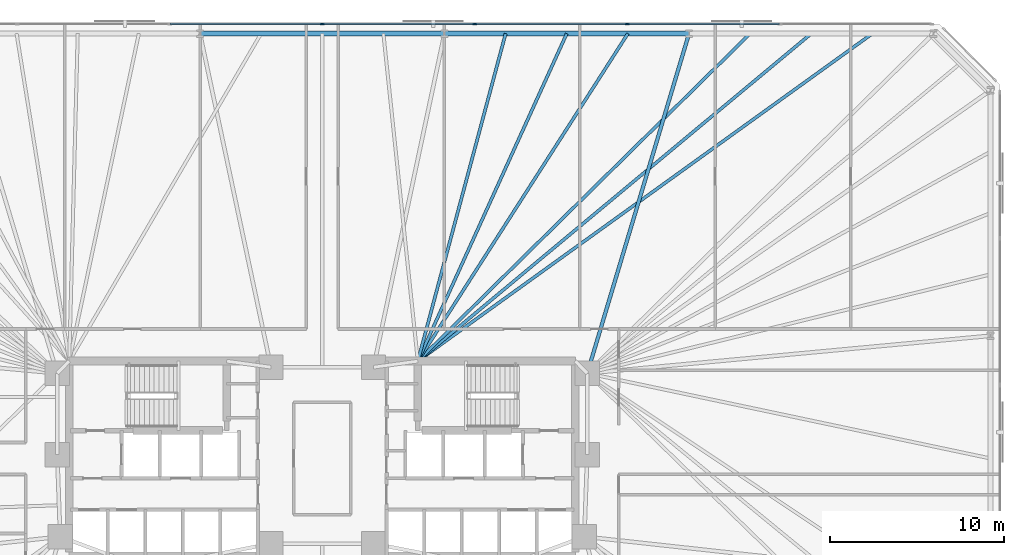
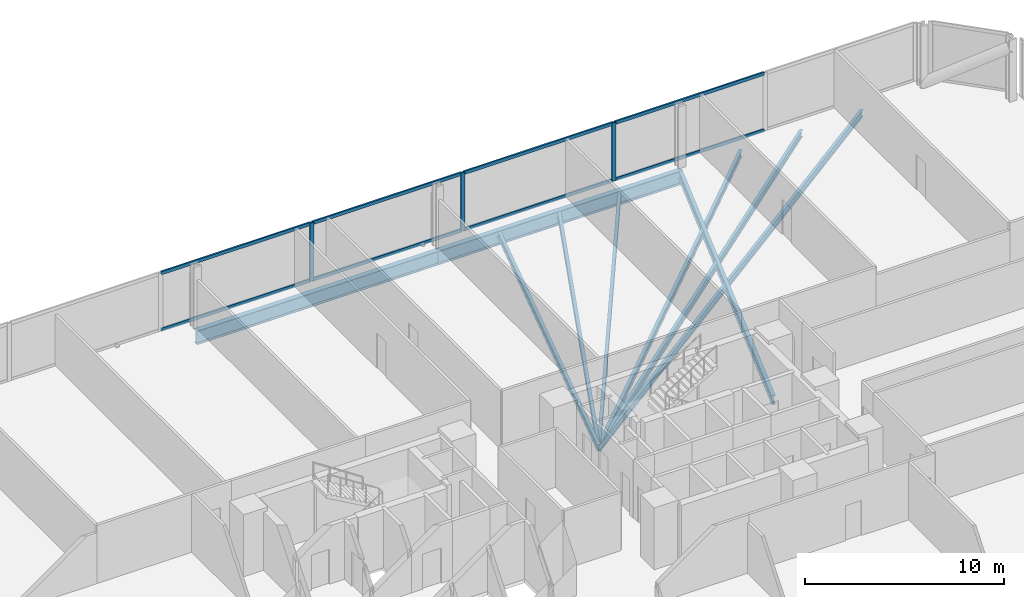
# One storey, part 9 of 17: 11 members, 9 beams, 1 element without a shape of its own.
"""IFC4 building model written with IfcOpenShell, lengths in metres."""

from ifc_helpers import new_model, si_unit, direction, frame, origin, origin_2d, place, context, subcontext, project, spatial, rectangle, i_section, extrude, material, material_profile, profile_set, type_object, element, aggregate, save


model = new_model("IFC4")

# Units and contexts
model_context = context("Model", 3, precision=1e-05, world=origin(), true_north=direction((0.0, 1.0)))
body_context = subcontext(model_context, "Body", "Model", "MODEL_VIEW")
ifc_project = project(units=[si_unit("LENGTHUNIT", "METRE"), si_unit("AREAUNIT", "SQUARE_METRE"), si_unit("VOLUMEUNIT", "CUBIC_METRE"), si_unit("PLANEANGLEUNIT", "RADIAN"), si_unit("MASSUNIT", "GRAM", prefix="KILO")], contexts=[model_context])

# Site, building, storey
site_placement = place(None, origin())
site = spatial("IfcSite", under=ifc_project, at=site_placement, CompositionType="ELEMENT")
building_placement = place(site_placement, origin())
building = spatial("IfcBuilding", under=site, at=building_placement, Name="Menara Jurai Vektor", CompositionType="ELEMENT")
storey_placement = place(building_placement, frame((0.0, 0.0, 63.60009765625)))
storey = spatial("IfcBuildingStorey", under=building, at=storey_placement, Name="L15", CompositionType="ELEMENT", Elevation=63.60009765625)

# Curtain wall, members
ifc_material_1 = material(Name="Anodised Pale Aluminium & Low-E Double Glazing", Category="aluminium")
curtain_wall_type = type_object("IfcCurtainWallType", Name="CW-BLK1", PredefinedType="NOTDEFINED", material=ifc_material_1)
curtain_wall_placement = place(storey_placement, origin())
curtain_wall = element("IfcCurtainWall", 1, at=curtain_wall_placement, inside=storey, type_object=curtain_wall_type, Name="Unitised Curtain Wall L15 F05", PredefinedType="NOTDEFINED")
ifc_material_2 = material(Name="Anodised Pale Aluminium Mullion", Category="aluminium")
ifc_material_profile_1 = material_profile(ifc_material_2, rectangle(XDim=0.094970703125, YDim=0.239990234375, at=origin_2d()), Name="ALU MUL 95x240")
ifc_profile_set_1 = profile_set([ifc_material_profile_1], Name="Anodised Pale Aluminium Mullion")
member_type_1 = type_object("IfcMemberType", Name="CW-BLK1-MUL", PredefinedType="MULLION", material=ifc_profile_set_1)
member_1_placement = place(storey_placement, frame((17.56005859375, 25.0, 0.0), z_axis=(0.0, 0.0, 1.0), x_axis=(0.0, -1.0, 0.0)))
member_1 = element("IfcMember", 2, at=member_1_placement, type_object=member_type_1, Name="CW-01 mullion 3", PredefinedType="MULLION", context=body_context, shape_type="SweptSolid", body=[
    extrude(rectangle(XDim=0.094970703125, YDim=0.239990234375, at=origin_2d()), origin(), (0.0, 0.0, 1.0), 3.574951171875),
])
member_2_placement = place(storey_placement, frame((8.780029296875, 25.0, 0.0), z_axis=(0.0, 0.0, 1.0), x_axis=(0.0, -1.0, 0.0)))
member_2 = element("IfcMember", 3, at=member_2_placement, type_object=member_type_1, Name="CW-01 mullion 4", PredefinedType="MULLION", context=body_context, shape_type="SweptSolid", body=[
    extrude(rectangle(XDim=0.094970703125, YDim=0.239990234375, at=origin_2d()), origin(), (0.0, 0.0, 1.0), 3.574951171875),
])
member_3_placement = place(storey_placement, frame((0.0, 25.0, 0.0), z_axis=(0.0, 0.0, 1.0), x_axis=(0.0, -1.0, 0.0)))
member_3 = element("IfcMember", 4, at=member_3_placement, type_object=member_type_1, Name="CW-01 mullion 5", PredefinedType="MULLION", context=body_context, shape_type="SweptSolid", body=[
    extrude(rectangle(XDim=0.094970703125, YDim=0.239990234375, at=origin_2d()), origin(), (0.0, 0.0, 1.0), 3.574951171875),
])
ifc_material_3 = material(Name="Anodised Pale Aluminium Transom", Category="aluminium")
ifc_material_profile_2 = material_profile(ifc_material_3, rectangle(XDim=0.094970703125, YDim=0.199951171875, at=origin_2d()), Name="ALU TRN 95x200")
ifc_profile_set_2 = profile_set([ifc_material_profile_2], Name="Anodised Pale Aluminium Transom")
member_type_2 = type_object("IfcMemberType", Name="CW-BLK1-TRN", PredefinedType="USERDEFINED", material=ifc_profile_set_2)
member_4_placement = place(storey_placement, frame((26.29248046875, 25.0, 0.04736328125), z_axis=(-1.0, 0.0, 0.0), x_axis=(0.0, -1.0, 0.0)))
member_4 = element("IfcMember", 5, at=member_4_placement, type_object=member_type_2, Name="CW-01 transom 2.1", ObjectType="TRANSOM", PredefinedType="USERDEFINED", context=body_context, shape_type="SweptSolid", body=[
    extrude(rectangle(XDim=0.094970703125, YDim=0.199951171875, at=origin_2d()), origin(), (0.0, 0.0, 1.0), 8.68505859375),
])
member_5_placement = place(storey_placement, frame((26.29248046875, 25.0, 3.52734375), z_axis=(-1.0, 0.0, 0.0), x_axis=(0.0, -1.0, 0.0)))
member_5 = element("IfcMember", 6, at=member_5_placement, type_object=member_type_2, Name="CW-01 transom 2.2", ObjectType="TRANSOM", PredefinedType="USERDEFINED", context=body_context, shape_type="SweptSolid", body=[
    extrude(rectangle(XDim=0.094970703125, YDim=0.199951171875, at=origin_2d()), origin(), (0.0, 0.0, 1.0), 8.68505859375),
])
member_6_placement = place(storey_placement, frame((17.512451171875, 25.0, 0.04736328125), z_axis=(-1.0, 0.0, 0.0), x_axis=(0.0, -1.0, 0.0)))
member_6 = element("IfcMember", 7, at=member_6_placement, type_object=member_type_2, Name="CW-01 transom 3.1", ObjectType="TRANSOM", PredefinedType="USERDEFINED", context=body_context, shape_type="SweptSolid", body=[
    extrude(rectangle(XDim=0.094970703125, YDim=0.199951171875, at=origin_2d()), origin(), (0.0, 0.0, 1.0), 8.68505859375),
])
member_7_placement = place(storey_placement, frame((17.512451171875, 25.0, 3.52734375), z_axis=(-1.0, 0.0, 0.0), x_axis=(0.0, -1.0, 0.0)))
member_7 = element("IfcMember", 8, at=member_7_placement, type_object=member_type_2, Name="CW-01 transom 3.2", ObjectType="TRANSOM", PredefinedType="USERDEFINED", context=body_context, shape_type="SweptSolid", body=[
    extrude(rectangle(XDim=0.094970703125, YDim=0.199951171875, at=origin_2d()), origin(), (0.0, 0.0, 1.0), 8.68505859375),
])
member_8_placement = place(storey_placement, frame((8.732421875, 25.0, 0.04736328125), z_axis=(-1.0, 0.0, 0.0), x_axis=(0.0, -1.0, 0.0)))
member_8 = element("IfcMember", 9, at=member_8_placement, type_object=member_type_2, Name="CW-01 transom 4.1", ObjectType="TRANSOM", PredefinedType="USERDEFINED", context=body_context, shape_type="SweptSolid", body=[
    extrude(rectangle(XDim=0.094970703125, YDim=0.199951171875, at=origin_2d()), origin(), (0.0, 0.0, 1.0), 8.684814453125),
])
member_9_placement = place(storey_placement, frame((8.732421875, 25.0, 3.52734375), z_axis=(-1.0, 0.0, 0.0), x_axis=(0.0, -1.0, 0.0)))
member_9 = element("IfcMember", 10, at=member_9_placement, type_object=member_type_2, Name="CW-01 transom 4.2", ObjectType="TRANSOM", PredefinedType="USERDEFINED", context=body_context, shape_type="SweptSolid", body=[
    extrude(rectangle(XDim=0.094970703125, YDim=0.199951171875, at=origin_2d()), origin(), (0.0, 0.0, 1.0), 8.684814453125),
])
member_10_placement = place(storey_placement, frame((-0.047607421875, 25.0, 0.04736328125), z_axis=(-1.0, 0.0, 0.0), x_axis=(0.0, -1.0, 0.0)))
member_10 = element("IfcMember", 11, at=member_10_placement, type_object=member_type_2, Name="CW-01 transom 5.1", ObjectType="TRANSOM", PredefinedType="USERDEFINED", context=body_context, shape_type="SweptSolid", body=[
    extrude(rectangle(XDim=0.094970703125, YDim=0.199951171875, at=origin_2d()), origin(), (0.0, 0.0, 1.0), 8.684814453125),
])
member_11_placement = place(storey_placement, frame((-0.047607421875, 25.0, 3.52734375), z_axis=(-1.0, 0.0, 0.0), x_axis=(0.0, -1.0, 0.0)))
member_11 = element("IfcMember", 12, at=member_11_placement, type_object=member_type_2, Name="CW-01 transom 5.2", ObjectType="TRANSOM", PredefinedType="USERDEFINED", context=body_context, shape_type="SweptSolid", body=[
    extrude(rectangle(XDim=0.094970703125, YDim=0.199951171875, at=origin_2d()), origin(), (0.0, 0.0, 1.0), 8.684814453125),
])
aggregate(curtain_wall, [member_1, member_2, member_3, member_4, member_5, member_6, member_7, member_8, member_9, member_10, member_11])

# Beams
ifc_material_4 = material(Name="Steel S355", Category="steel")
ifc_material_profile_3 = material_profile(ifc_material_4, i_section(OverallWidth=0.2109375, OverallDepth=0.5390625, WebThickness=0.011962890625, FlangeThickness=0.01904296875, FilletRadius=0.012939453125, at=origin_2d()), Name="UKB 533x210x109")
ifc_profile_set_3 = profile_set([ifc_material_profile_3], Name="Steel S355")
beam_type_1 = type_object("IfcBeamType", Name="STR-BM-533", PredefinedType="BEAM", material=ifc_profile_set_3)
beam_1_placement = place(storey_placement, frame((21.106689453125, 24.449951171875, -0.49462890625), z_axis=(-0.286973617166, -0.957938486047, 0.0), x_axis=(0.957938486047, -0.286973617166, 0.0)))
element("IfcBeam", 13, at=beam_1_placement, inside=storey, type_object=beam_type_1, Name="Radial Floor Girder L15-N2", PredefinedType="BEAM", context=body_context, shape_type="SweptSolid", body=[
    extrude(i_section(OverallWidth=0.2109375, OverallDepth=0.5390625, WebThickness=0.011962890625, FlangeThickness=0.01904296875, FilletRadius=0.012939453125, at=origin_2d()), origin(), (0.0, 0.0, 1.0), 20.408447265625),
])
ifc_material_profile_4 = material_profile(ifc_material_4, i_section(OverallWidth=0.178955078125, OverallDepth=0.408935546875, WebThickness=0.009033203125, FlangeThickness=0.013916015625, FilletRadius=0.010009765625, at=origin_2d()), Name="UKB 406x178x67")
ifc_profile_set_4 = profile_set([ifc_material_profile_4], Name="Steel S355")
beam_type_2 = type_object("IfcBeamType", Name="STR-JS-406", PredefinedType="JOIST", material=ifc_profile_set_4)
beam_2_placement = place(storey_placement, frame((31.659912109375, 24.449951171875, -0.4296875), z_axis=(-0.81131785733, -0.584605280833, 0.0), x_axis=(0.584605280833, -0.81131785733, 0.0)))
element("IfcBeam", 14, at=beam_2_placement, inside=storey, type_object=beam_type_2, Name="Radial Secondary Floor Joist L15-JS16", PredefinedType="JOIST", context=body_context, shape_type="SweptSolid", body=[
    extrude(i_section(OverallWidth=0.178955078125, OverallDepth=0.408935546875, WebThickness=0.009033203125, FlangeThickness=0.013916015625, FilletRadius=0.010009765625, at=origin_2d()), origin(), (0.0, 0.0, 1.0), 32.24365234375),
])
beam_3_placement = place(storey_placement, frame((28.142333984375, 24.449951171875, -0.4296875), z_axis=(-0.76853431665, -0.639808568347, 0.0), x_axis=(0.639808568347, -0.76853431665, 0.0)))
element("IfcBeam", 15, at=beam_3_placement, inside=storey, type_object=beam_type_2, Name="Radial Secondary Floor Joist L15-JS17", PredefinedType="JOIST", context=body_context, shape_type="SweptSolid", body=[
    extrude(i_section(OverallWidth=0.178955078125, OverallDepth=0.408935546875, WebThickness=0.009033203125, FlangeThickness=0.013916015625, FilletRadius=0.010009765625, at=origin_2d()), origin(), (0.0, 0.0, 1.0), 29.461669921875),
])
beam_4_placement = place(storey_placement, frame((24.62451171875, 24.449951171875, -0.4296875), z_axis=(-0.712202462998, -0.70197411042, 0.0), x_axis=(0.70197411042, -0.712202462998, 0.0)))
element("IfcBeam", 16, at=beam_4_placement, inside=storey, type_object=beam_type_2, Name="Radial Secondary Floor Joist L15-JS18", PredefinedType="JOIST", context=body_context, shape_type="SweptSolid", body=[
    extrude(i_section(OverallWidth=0.178955078125, OverallDepth=0.408935546875, WebThickness=0.009033203125, FlangeThickness=0.013916015625, FilletRadius=0.010009765625, at=origin_2d()), origin(), (0.0, 0.0, 1.0), 26.8525390625),
])
beam_5_placement = place(storey_placement, frame((17.5888671875, 24.449951171875, -0.4296875), z_axis=(-0.53984422461, -0.841764939372, 0.0), x_axis=(0.841764939372, -0.53984422461, 0.0)))
element("IfcBeam", 17, at=beam_5_placement, inside=storey, type_object=beam_type_2, Name="Radial Secondary Floor Joist L15-JS19", PredefinedType="JOIST", context=body_context, shape_type="SweptSolid", body=[
    extrude(i_section(OverallWidth=0.178955078125, OverallDepth=0.408935546875, WebThickness=0.009033203125, FlangeThickness=0.013916015625, FilletRadius=0.010009765625, at=origin_2d()), origin(), (0.0, 0.0, 1.0), 22.393310546875),
])
beam_6_placement = place(storey_placement, frame((14.071044921875, 24.449951171875, -0.4296875), z_axis=(-0.413920197297, -0.910313171535, 0.0), x_axis=(0.910313171535, -0.413920197297, 0.0)))
element("IfcBeam", 18, at=beam_6_placement, inside=storey, type_object=beam_type_2, Name="Radial Secondary Floor Joist L15-JS20", PredefinedType="JOIST", context=body_context, shape_type="SweptSolid", body=[
    extrude(i_section(OverallWidth=0.178955078125, OverallDepth=0.408935546875, WebThickness=0.009033203125, FlangeThickness=0.013916015625, FilletRadius=0.010009765625, at=origin_2d()), origin(), (0.0, 0.0, 1.0), 20.70703125),
])
beam_7_placement = place(storey_placement, frame((10.55322265625, 24.449951171875, -0.4296875), z_axis=(-0.258934723238, -0.965894823002, 0.0), x_axis=(0.965894823002, -0.258934723238, 0.0)))
element("IfcBeam", 19, at=beam_7_placement, inside=storey, type_object=beam_type_2, Name="Radial Secondary Floor Joist L15-JS21", PredefinedType="JOIST", context=body_context, shape_type="SweptSolid", body=[
    extrude(i_section(OverallWidth=0.178955078125, OverallDepth=0.408935546875, WebThickness=0.009033203125, FlangeThickness=0.013916015625, FilletRadius=0.010009765625, at=origin_2d()), origin(), (0.0, 0.0, 1.0), 19.515380859375),
])
ifc_material_5 = material(Name="Steel S460", Category="steel")
ifc_material_profile_5 = material_profile(ifc_material_5, i_section(OverallWidth=0.2939453125, OverallDepth=0.85107421875, WebThickness=0.01611328125, FlangeThickness=0.027099609375, FilletRadius=0.01806640625, at=origin_2d()), Name="UKB 838x292x226")
ifc_profile_set_5 = profile_set([ifc_material_profile_5], Name="Steel S460")
beam_type_3 = type_object("IfcBeamType", Name="STR-SP-838", PredefinedType="SPANDREL", material=ifc_profile_set_5)
beam_8_placement = place(storey_placement, frame((21.106689453125, 24.449951171875, -0.650634765625), z_axis=(-1.0, 0.0, 0.0), x_axis=(0.0, -1.0, 0.0)))
element("IfcBeam", 20, at=beam_8_placement, inside=storey, type_object=beam_type_3, Name="Exoskeleton Spandrel Beam L15-12", PredefinedType="SPANDREL", context=body_context, shape_type="SweptSolid", body=[
    extrude(i_section(OverallWidth=0.2939453125, OverallDepth=0.85107421875, WebThickness=0.01611328125, FlangeThickness=0.027099609375, FilletRadius=0.01806640625, at=origin_2d()), origin(), (0.0, 0.0, 1.0), 14.071044921875),
])
beam_9_placement = place(storey_placement, frame((7.03564453125, 24.449951171875, -0.650634765625), z_axis=(-1.0, 0.0, 0.0), x_axis=(0.0, -1.0, 0.0)))
element("IfcBeam", 21, at=beam_9_placement, inside=storey, type_object=beam_type_3, Name="Exoskeleton Spandrel Beam L15-13", PredefinedType="SPANDREL", context=body_context, shape_type="SweptSolid", body=[
    extrude(i_section(OverallWidth=0.2939453125, OverallDepth=0.85107421875, WebThickness=0.01611328125, FlangeThickness=0.027099609375, FilletRadius=0.01806640625, at=origin_2d()), origin(), (0.0, 0.0, 1.0), 14.0712890625),
])

save(model, "model.ifc")
